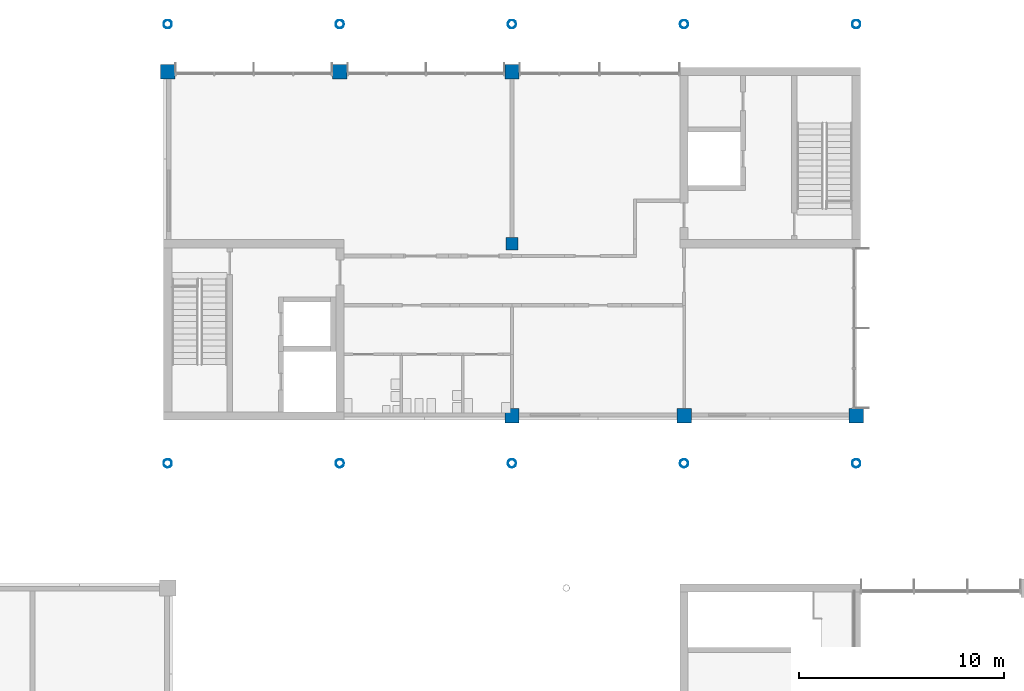
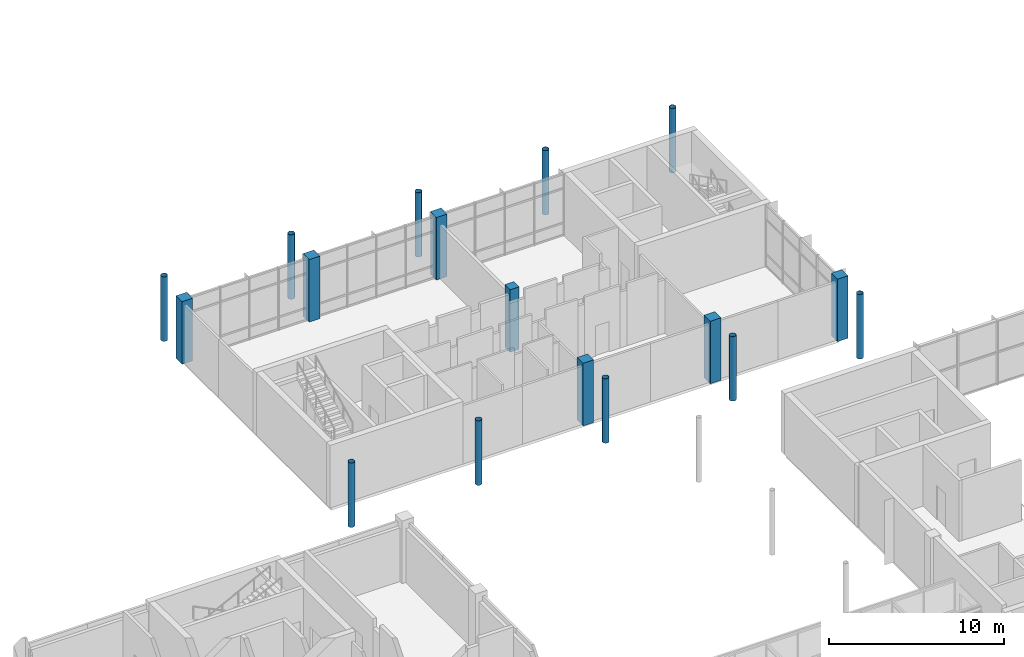
# One storey, part 4 of 70: 17 columns.
"""IFC4 building model written with IfcOpenShell, lengths in metres."""

from ifc_helpers import new_model, si_unit, direction, frame, origin, origin_2d, place, context, subcontext, project, spatial, rectangle, hollow_circle, extrude, material, material_profile, profile_set, type_object, element, save


model = new_model("IFC4")

# Units and contexts
model_context = context("Model", 3, precision=1e-05, world=origin(), true_north=direction((0.0, 1.0)))
body_context = subcontext(model_context, "Body", "Model", "MODEL_VIEW")
ifc_project = project(units=[si_unit("LENGTHUNIT", "METRE"), si_unit("AREAUNIT", "SQUARE_METRE"), si_unit("VOLUMEUNIT", "CUBIC_METRE"), si_unit("PLANEANGLEUNIT", "RADIAN"), si_unit("MASSUNIT", "GRAM", prefix="KILO")], contexts=[model_context])

# Site, building, storey
site_placement = place(None, origin())
site = spatial("IfcSite", under=ifc_project, at=site_placement, CompositionType="ELEMENT")
building_placement = place(site_placement, origin())
building = spatial("IfcBuilding", under=site, at=building_placement, Name="Hlaing Beacon Police Headquarters", CompositionType="ELEMENT")
storey_placement = place(building_placement, frame((0.0, 0.0, 5.39990234375)))
storey = spatial("IfcBuildingStorey", under=building, at=storey_placement, Name="L01", CompositionType="ELEMENT", Elevation=5.39990234375)

# Columns
ifc_material_1 = material(Name="Steel ASTM A500 Grade C", Category="steel")
ifc_material_profile_1 = material_profile(ifc_material_1, hollow_circle(Radius=0.203125, WallThickness=0.0126953125, at=origin_2d()), Name="HSS16.000x0.500")
ifc_profile_set_1 = profile_set([ifc_material_profile_1], Name="Steel ASTM A500 Grade C")
column_type_1 = type_object("IfcColumnType", Name="Eave edge post HSS16.000x0.500", PredefinedType="COLUMN", material=ifc_profile_set_1)
for number, where, z_axis, x_axis, name in (
    (1, (33.60009765625, 94.71728515625, 0.0), (0.0, 0.0, 1.0), (1.0, 0.0, 0.0), "STR-RT-V2-EEP-N0336-L01"),
    (2, (42.0, 94.71728515625, 0.0), (0.0, 0.0, 1.0), (1.0, 0.0, 0.0), "STR-RT-V2-EEP-N0420-L01"),
    (3, (50.39990234375, 94.71728515625, 0.0), (0.0, 0.0, 1.0), (1.0, 0.0, 0.0), "STR-RT-V2-EEP-N0504-L01"),
    (4, (58.800048828125, 94.71728515625, 0.0), (0.0, 0.0, 1.0), (1.0, 0.0, 0.0), "STR-RT-V2-EEP-N0588-L01"),
    (5, (67.199951171875, 94.71728515625, 0.0), (0.0, 0.0, 1.0), (1.0, 0.0, 0.0), "STR-RT-V2-EEP-N0672-L01"),
    (6, (33.60009765625, 73.28271484375, 0.0), (0.0, 0.0, 1.0), (1.0, 0.0, 0.0), "STR-RT-V2-EEP-S0336-L01"),
    (7, (42.0, 73.28271484375, 0.0), (0.0, 0.0, 1.0), (1.0, 0.0, 0.0), "STR-RT-V2-EEP-S0420-L01"),
    (8, (50.39990234375, 73.28271484375, 0.0), (0.0, 0.0, 1.0), (1.0, 0.0, 0.0), "STR-RT-V2-EEP-S0504-L01"),
    (9, (58.800048828125, 73.28271484375, 0.0), (0.0, 0.0, 1.0), (1.0, 0.0, 0.0), "STR-RT-V2-EEP-S0588-L01"),
    (10, (67.199951171875, 73.28271484375, 0.0), (0.0, 0.0, 1.0), (1.0, 0.0, 0.0), "STR-RT-V2-EEP-S0672-L01"),
):
    element("IfcColumn", number, at=place(storey_placement, frame(where, z_axis=z_axis, x_axis=x_axis)), inside=storey, type_object=column_type_1, Name=name, PredefinedType="COLUMN", context=body_context, shape_type="SweptSolid", body=[
        extrude(hollow_circle(Radius=0.203125, WallThickness=0.0126953125, at=origin_2d()), origin(), (0.0, 0.0, 1.0), 4.5),
    ])
ifc_material_2 = material(Name="Concrete C50/60", Category="concrete")
ifc_material_profile_2 = material_profile(ifc_material_2, rectangle(XDim=0.60009765625, YDim=0.60009765625, at=origin_2d()), Name="600x600")
ifc_profile_set_2 = profile_set([ifc_material_profile_2], Name="Concrete C50/60")
column_type_2 = type_object("IfcColumnType", Name="RC column 600x600 C50/60", PredefinedType="COLUMN", material=ifc_profile_set_2)
column_placement = place(storey_placement, frame((50.39990234375, 84.0, 0.0), z_axis=(0.0, 0.0, 1.0), x_axis=(1.0, 0.0, 0.0)))
element("IfcColumn", 11, at=column_placement, inside=storey, type_object=column_type_2, Name="STR-COL-L01-G11", PredefinedType="COLUMN", context=body_context, shape_type="SweptSolid", body=[
    extrude(rectangle(XDim=0.60009765625, YDim=0.60009765625, at=origin_2d()), origin(), (0.0, 0.0, 1.0), 4.3701171875),
])
ifc_material_3 = material(Name="Concrete C50/60", Category="concrete")
ifc_material_profile_3 = material_profile(ifc_material_3, rectangle(XDim=0.699951171875, YDim=0.699951171875, at=origin_2d()), Name="700x700")
ifc_profile_set_3 = profile_set([ifc_material_profile_3], Name="Concrete C50/60")
column_type_3 = type_object("IfcColumnType", Name="RC column 700x700 C50/60", PredefinedType="COLUMN", material=ifc_profile_set_3)
for number, where, z_axis, x_axis, name in (
    (12, (33.60009765625, 92.39990234375, 0.0), (0.0, 0.0, 1.0), (1.0, 0.0, 0.0), "STR-COL-L01-E12"),
    (13, (42.0, 92.39990234375, 0.0), (0.0, 0.0, 1.0), (1.0, 0.0, 0.0), "STR-COL-L01-F12"),
    (14, (50.39990234375, 75.60009765625, 0.0), (0.0, 0.0, 1.0), (1.0, 0.0, 0.0), "STR-COL-L01-G10"),
    (15, (50.39990234375, 92.39990234375, 0.0), (0.0, 0.0, 1.0), (1.0, 0.0, 0.0), "STR-COL-L01-G12"),
    (16, (58.800048828125, 75.60009765625, 0.0), (0.0, 0.0, 1.0), (1.0, 0.0, 0.0), "STR-COL-L01-H10"),
    (17, (67.199951171875, 75.60009765625, 0.0), (0.0, 0.0, 1.0), (1.0, 0.0, 0.0), "STR-COL-L01-J10"),
):
    element("IfcColumn", number, at=place(storey_placement, frame(where, z_axis=z_axis, x_axis=x_axis)), inside=storey, type_object=column_type_3, Name=name, PredefinedType="COLUMN", context=body_context, shape_type="SweptSolid", body=[
        extrude(rectangle(XDim=0.699951171875, YDim=0.699951171875, at=origin_2d()), origin(), (0.0, 0.0, 1.0), 4.3701171875),
    ])

save(model, "model.ifc")
